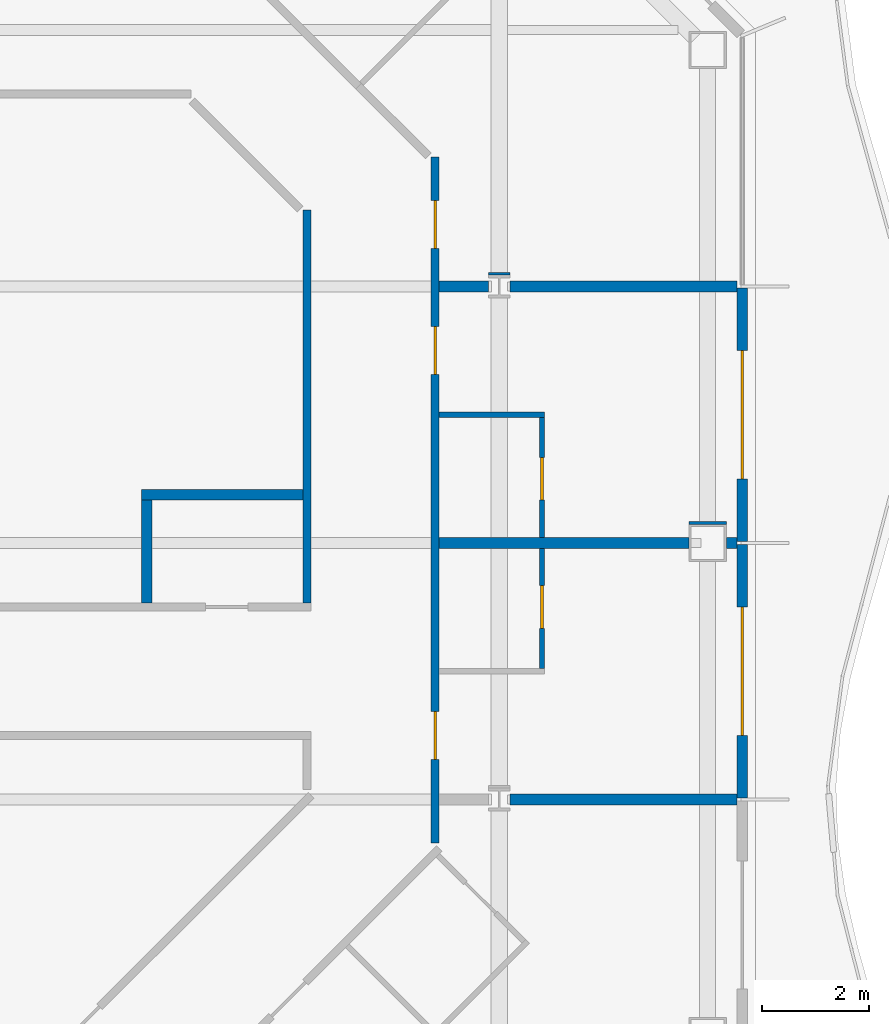
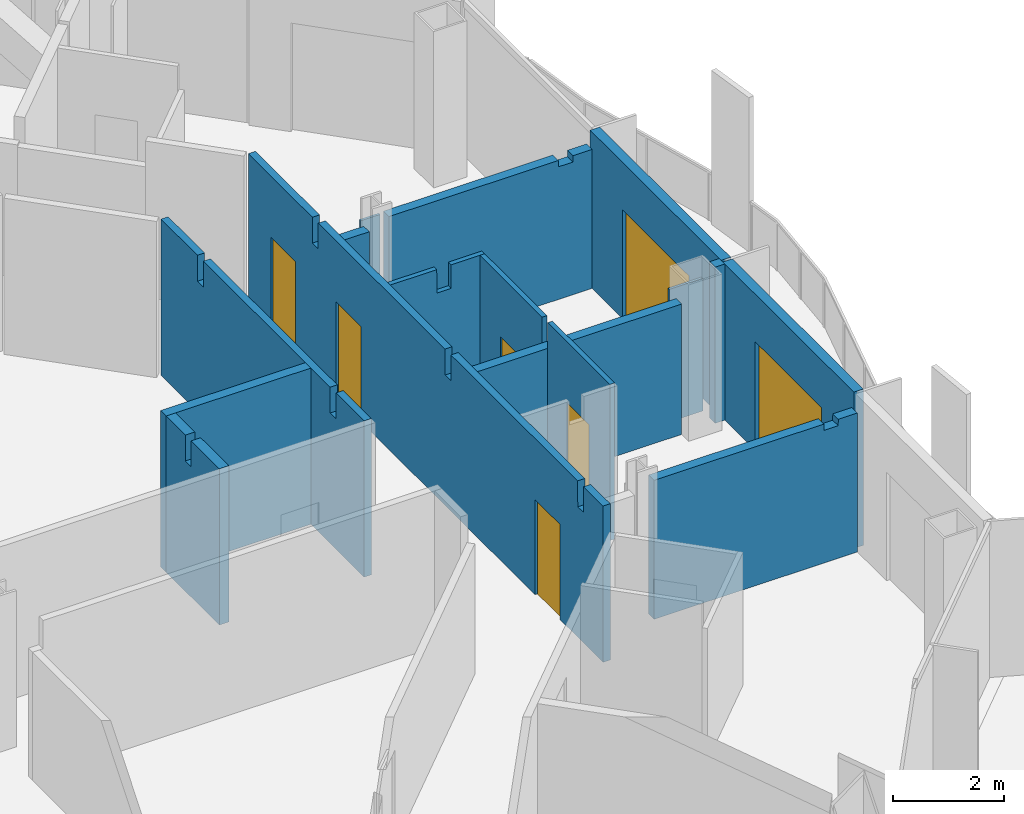
# One storey, part 11 of 21: 16 walls, 7 doors, 7 openings.
"""IFC4 building model written with IfcOpenShell, lengths in metres."""

from ifc_helpers import new_model, si_unit, direction, frame, frame_2d, origin, place, context, subcontext, project, spatial, polyline, rectangle, outline, extrude, material, layer, layer_set, type_object, element, fill, save


model = new_model("IFC4")

# Units and contexts
model_context = context("Model", 3, precision=1e-05, world=origin(), true_north=direction((0.0, 1.0)))
body_context = subcontext(model_context, "Body", "Model", "MODEL_VIEW")
ifc_project = project(units=[si_unit("LENGTHUNIT", "METRE"), si_unit("AREAUNIT", "SQUARE_METRE"), si_unit("VOLUMEUNIT", "CUBIC_METRE"), si_unit("PLANEANGLEUNIT", "RADIAN"), si_unit("MASSUNIT", "GRAM", prefix="KILO")], contexts=[model_context])

# Site, building, storey
site_placement = place(None, origin())
site = spatial("IfcSite", under=ifc_project, at=site_placement, CompositionType="ELEMENT")
building_placement = place(site_placement, origin())
building = spatial("IfcBuilding", under=site, at=building_placement, Name="Cairn Pilgrim Tower", CompositionType="ELEMENT")
storey_placement = place(building_placement, frame((0.0, 0.0, 143.39990234375)))
storey = spatial("IfcBuildingStorey", under=building, at=storey_placement, Name="L35", CompositionType="ELEMENT", Elevation=143.39990234375)

# Wall, opening, door
ifc_material_1 = material(Name="Bronze anodised aluminium insulated sandwich panel with mineral wool fill", Category="aluminium")
ifc_layer_1 = layer(ifc_material_1, 0.199951171875)
ifc_layer_set_1 = layer_set([ifc_layer_1], Name="BRONZE INFILL FRAME WALL 200")
wall_type_1 = type_object("IfcWallType", Name="BRONZE INFILL FRAME WALL 200", PredefinedType="NOTDEFINED", material=ifc_layer_set_1)
wall_1_placement = place(storey_placement, frame((35.75, 0.030029296875, 0.0), z_axis=(0.0, 0.0, 1.0), x_axis=(0.0, 1.0, 0.0)))
wall_1 = element("IfcWall", 1, at=wall_1_placement, inside=storey, type_object=wall_type_1, Name="Bronze infill frame wall IW-E2", PredefinedType="NOTDEFINED", context=body_context, shape_type="SweptSolid", body=[
    extrude(rectangle(XDim=4.739990234375, YDim=0.199951171875, at=frame_2d((2.3701171875, 0.0))), origin(), (0.0, 0.0, 1.0), 3.4501953125),
])
opening_1_placement = place(wall_1_placement, frame((1.169921875, 0.0, 0.0)))
opening_1 = element("IfcOpeningElement", 2, at=opening_1_placement, cuts=wall_1, Name="Opening 3506B", PredefinedType="OPENING", context=body_context, shape_type="SweptSolid", body=[
    extrude(rectangle(XDim=2.39990234375, YDim=2.39990234375, at=frame_2d((1.199951171875, 1.199951171875))), frame((0.0, 0.10986328125, 0.0), z_axis=(0.0, -1.0, 0.0), x_axis=(1.0, 0.0, 0.0)), (0.0, 0.0, 1.0), 0.219970703125),
])
ifc_material_2 = material(Name="Bronze anodised aluminium frame with tinted low-E glass", Category="aluminium")
door_type_1 = type_object("IfcDoorType", Name="BALCONY SLIDING DOOR 2400x2400", OperationType="DOUBLE_DOOR_SLIDING", PredefinedType="DOOR", material=ifc_material_2)
door_1_placement = place(opening_1_placement, origin())
door_1 = element("IfcDoor", 3, at=door_1_placement, inside=storey, type_object=door_type_1, Name="Balcony sliding door 3506B", OperationType="SINGLE_SWING_LEFT", OverallHeight=2.39990234375, OverallWidth=2.39990234375, PredefinedType="DOOR", context=body_context, shape_type="SweptSolid", body=[
    extrude(rectangle(XDim=2.39990234375, YDim=2.39990234375, at=frame_2d((1.199951171875, 1.199951171875))), frame((0.0, 0.02490234375, 0.0), z_axis=(0.0, -1.0, 0.0), x_axis=(1.0, 0.0, 0.0)), (0.0, 0.0, 1.0), 0.050048828125),
])
fill(opening_1, door_1)

wall_2_placement = place(storey_placement, frame((35.75, 4.830078125, 0.0), z_axis=(0.0, 0.0, 1.0), x_axis=(0.0, 1.0, 0.0)))
wall_2 = element("IfcWall", 4, at=wall_2_placement, inside=storey, type_object=wall_type_1, Name="Bronze infill frame wall IW-E3", PredefinedType="NOTDEFINED", context=body_context, shape_type="SweptSolid", body=[
    extrude(rectangle(XDim=4.739990234375, YDim=0.199951171875, at=frame_2d((2.3701171875, 0.0))), origin(), (0.0, 0.0, 1.0), 3.4501953125),
])
opening_2_placement = place(wall_2_placement, frame((1.169921875, 0.0, 0.0)))
opening_2 = element("IfcOpeningElement", 5, at=opening_2_placement, cuts=wall_2, Name="Opening 3507B", PredefinedType="OPENING", context=body_context, shape_type="SweptSolid", body=[
    extrude(rectangle(XDim=2.39990234375, YDim=2.39990234375, at=frame_2d((1.199951171875, 1.199951171875))), frame((0.0, 0.10986328125, 0.0), z_axis=(0.0, -1.0, 0.0), x_axis=(1.0, 0.0, 0.0)), (0.0, 0.0, 1.0), 0.219970703125),
])
door_2_placement = place(opening_2_placement, origin())
door_2 = element("IfcDoor", 6, at=door_2_placement, inside=storey, type_object=door_type_1, Name="Balcony sliding door 3507B", OperationType="SINGLE_SWING_LEFT", OverallHeight=2.39990234375, OverallWidth=2.39990234375, PredefinedType="DOOR", context=body_context, shape_type="SweptSolid", body=[
    extrude(rectangle(XDim=2.39990234375, YDim=2.39990234375, at=frame_2d((1.199951171875, 1.199951171875))), frame((0.0, 0.02490234375, 0.0), z_axis=(0.0, -1.0, 0.0), x_axis=(1.0, 0.0, 0.0)), (0.0, 0.0, 1.0), 0.050048828125),
])
fill(opening_2, door_2)

ifc_material_3 = material(Name="Gypsum partition")
ifc_layer_2 = layer(ifc_material_3, 0.10009765625)
ifc_layer_set_2 = layer_set([ifc_layer_2], Name="PARTITION 100 DRYWALL")
wall_type_2 = type_object("IfcWallType", Name="PARTITION 100 DRYWALL", PredefinedType="PARTITIONING", material=ifc_layer_set_2)
wall_3_placement = place(storey_placement, frame((32.0, 2.449951171875, 0.0), z_axis=(0.0, 0.0, 1.0), x_axis=(0.0, 1.0, 0.0)))
wall_3 = element("IfcWall", 7, at=wall_3_placement, inside=storey, type_object=wall_type_2, Name="PARTITION W050", PredefinedType="PARTITIONING", context=body_context, shape_type="SweptSolid", body=[
    extrude(rectangle(XDim=2.25, YDim=0.10009765625, at=frame_2d((1.125, 0.0))), origin(), (0.0, 0.0, 1.0), 3.4501953125),
])
opening_3_placement = place(wall_3_placement, frame((0.75, 0.0, 0.0)))
opening_3 = element("IfcOpeningElement", 8, at=opening_3_placement, cuts=wall_3, Name="Opening 3506A", PredefinedType="OPENING", context=body_context, shape_type="SweptSolid", body=[
    extrude(rectangle(XDim=0.800048828125, YDim=2.10009765625, at=frame_2d((0.39990234375, 1.050048828125))), frame((0.0, 0.06005859375, 0.0), z_axis=(0.0, -1.0, 0.0), x_axis=(1.0, 0.0, 0.0)), (0.0, 0.0, 1.0), 0.1201171875),
])
ifc_material_4 = material(Name="Timber door leaf", Category="wood")
door_type_2 = type_object("IfcDoorType", Name="WC DOOR 800x2100", OperationType="NOTDEFINED", PredefinedType="DOOR", material=ifc_material_4)
door_3_placement = place(opening_3_placement, frame((0.800048828125, 0.0, 0.0), z_axis=(0.0, 0.0, 1.0), x_axis=(-1.0, 0.0, 0.0)))
door_3 = element("IfcDoor", 9, at=door_3_placement, inside=storey, type_object=door_type_2, Name="DOOR 3506A", OperationType="SINGLE_SWING_LEFT", OverallHeight=2.10009765625, OverallWidth=0.800048828125, PredefinedType="DOOR", context=body_context, shape_type="SweptSolid", body=[
    extrude(rectangle(XDim=0.800048828125, YDim=2.10009765625, at=frame_2d((0.39990234375, 1.050048828125))), frame((0.0, 0.02490234375, 0.0), z_axis=(0.0, -1.0, 0.0), x_axis=(1.0, 0.0, 0.0)), (0.0, 0.0, 1.0), 0.050048828125),
])
fill(opening_3, door_3)

wall_4_placement = place(storey_placement, frame((32.0, 4.89990234375, 0.0), z_axis=(0.0, 0.0, 1.0), x_axis=(0.0, 1.0, 0.0)))
wall_4 = element("IfcWall", 10, at=wall_4_placement, inside=storey, type_object=wall_type_2, Name="PARTITION W063", PredefinedType="PARTITIONING", context=body_context, shape_type="SweptSolid", body=[
    extrude(rectangle(XDim=2.25, YDim=0.10009765625, at=frame_2d((1.125, 0.0))), origin(), (0.0, 0.0, 1.0), 3.4501953125),
])
opening_4_placement = place(wall_4_placement, frame((0.699951171875, 0.0, 0.0)))
opening_4 = element("IfcOpeningElement", 11, at=opening_4_placement, cuts=wall_4, Name="Opening 3507A", PredefinedType="OPENING", context=body_context, shape_type="SweptSolid", body=[
    extrude(rectangle(XDim=0.800048828125, YDim=2.10009765625, at=frame_2d((0.39990234375, 1.050048828125))), frame((0.0, 0.06005859375, 0.0), z_axis=(0.0, -1.0, 0.0), x_axis=(1.0, 0.0, 0.0)), (0.0, 0.0, 1.0), 0.1201171875),
])
door_4_placement = place(opening_4_placement, frame((0.800048828125, 0.0, 0.0), z_axis=(0.0, 0.0, 1.0), x_axis=(-1.0, 0.0, 0.0)))
door_4 = element("IfcDoor", 12, at=door_4_placement, inside=storey, type_object=door_type_2, Name="DOOR 3507A", OperationType="SINGLE_SWING_LEFT", OverallHeight=2.10009765625, OverallWidth=0.800048828125, PredefinedType="DOOR", context=body_context, shape_type="SweptSolid", body=[
    extrude(rectangle(XDim=0.800048828125, YDim=2.10009765625, at=frame_2d((0.39990234375, 1.050048828125))), frame((0.0, 0.02490234375, 0.0), z_axis=(0.0, -1.0, 0.0), x_axis=(1.0, 0.0, 0.0)), (0.0, 0.0, 1.0), 0.050048828125),
])
fill(opening_4, door_4)

# Wall
wall_5_placement = place(storey_placement, frame((30.074951171875, 7.199951171875, 0.0), z_axis=(0.0, 0.0, 1.0), x_axis=(1.0, 0.0, 0.0)))
element("IfcWall", 13, at=wall_5_placement, inside=storey, type_object=wall_type_2, Name="PARTITION W066", PredefinedType="PARTITIONING", context=body_context, shape_type="SweptSolid", body=[
    extrude(outline(polyline([(0.0, 0.0), (1.97509765625, 0.0), (1.97509765625, 3.4501953125), (1.27490234375, 3.4501953125), (1.27294921875, 2.93017578125), (0.97509765625, 2.93017578125), (0.972900390625, 3.4501953125), (0.0, 3.4501953125), (0.0, 0.0)])), frame((0.0, 0.050048828125, 0.0), z_axis=(0.0, -1.0, 0.0), x_axis=(1.0, 0.0, 0.0)), (0.0, 0.0, 1.0), 0.10009765625),
])

# Wall, openings, doors
ifc_layer_3 = layer(ifc_material_3, 0.14990234375)
ifc_layer_set_3 = layer_set([ifc_layer_3], Name="PARTITION 150 DRYWALL EI 60")
wall_type_3 = type_object("IfcWallType", Name="PARTITION 150 DRYWALL EI 60", PredefinedType="PARTITIONING", material=ifc_layer_set_3)
wall_6_placement = place(storey_placement, frame((30.0, -0.81298828125, 0.0), z_axis=(0.0, 0.0, 1.0), x_axis=(0.0, 1.0, 0.0)))
wall_6 = element("IfcWall", 14, at=wall_6_placement, inside=storey, type_object=wall_type_3, Name="PARTITION W042", PredefinedType="PARTITIONING", context=body_context, shape_type="SweptSolid", body=[
    extrude(outline(polyline([(0.0, 0.0), (12.833984375, 0.0), (12.833984375, 3.4501953125), (10.517822265625, 3.4501953125), (10.515869140625, 2.880126953125), (10.307861328125, 2.880126953125), (10.305908203125, 3.4501953125), (5.718017578125, 3.4501953125), (5.7158203125, 2.880126953125), (5.5078125, 2.880126953125), (5.505859375, 3.4501953125), (0.91796875, 3.4501953125), (0.916015625, 2.880126953125), (0.7080078125, 2.880126953125), (0.705810546875, 3.4501953125), (0.0, 3.4501953125), (0.0, 0.0)])), frame((0.0, 0.074951171875, 0.0), z_axis=(0.0, -1.0, 0.0), x_axis=(1.0, 0.0, 0.0)), (0.0, 0.0, 1.0), 0.14990234375),
])
opening_5_placement = place(wall_6_placement, frame((1.56298828125, 0.0, 0.0)))
opening_5 = element("IfcOpeningElement", 15, at=opening_5_placement, cuts=wall_6, Name="Opening 3506", PredefinedType="OPENING", context=body_context, shape_type="SweptSolid", body=[
    extrude(rectangle(XDim=0.89990234375, YDim=2.10009765625, at=frame_2d((0.449951171875, 1.050048828125))), frame((0.0, 0.0849609375, 0.0), z_axis=(0.0, -1.0, 0.0), x_axis=(1.0, 0.0, 0.0)), (0.0, 0.0, 1.0), 0.169921875),
])
opening_6_placement = place(wall_6_placement, frame((8.762939453125, 0.0, 0.0)))
opening_6 = element("IfcOpeningElement", 16, at=opening_6_placement, cuts=wall_6, Name="Opening 3507", PredefinedType="OPENING", context=body_context, shape_type="SweptSolid", body=[
    extrude(rectangle(XDim=0.89990234375, YDim=2.10009765625, at=frame_2d((0.449951171875, 1.050048828125))), frame((0.0, 0.0849609375, 0.0), z_axis=(0.0, -1.0, 0.0), x_axis=(1.0, 0.0, 0.0)), (0.0, 0.0, 1.0), 0.169921875),
])
opening_7_placement = place(wall_6_placement, frame((11.120849609375, 0.0, 0.0)))
opening_7 = element("IfcOpeningElement", 17, at=opening_7_placement, cuts=wall_6, Name="Opening 3508", PredefinedType="OPENING", context=body_context, shape_type="SweptSolid", body=[
    extrude(rectangle(XDim=0.89990234375, YDim=2.10009765625, at=frame_2d((0.449951171875, 1.050048828125))), frame((0.0, 0.0849609375, 0.0), z_axis=(0.0, -1.0, 0.0), x_axis=(1.0, 0.0, 0.0)), (0.0, 0.0, 1.0), 0.169921875),
])
door_type_3 = type_object("IfcDoorType", Name="ROOM DOOR 900x2100 FD30S", OperationType="NOTDEFINED", PredefinedType="DOOR", material=ifc_material_4)
door_5_placement = place(opening_5_placement, frame((0.89990234375, 0.0, 0.0), z_axis=(0.0, 0.0, 1.0), x_axis=(-1.0, 0.0, 0.0)))
door_5 = element("IfcDoor", 18, at=door_5_placement, inside=storey, type_object=door_type_3, Name="DOOR 3506", OperationType="SINGLE_SWING_LEFT", OverallHeight=2.10009765625, OverallWidth=0.89990234375, PredefinedType="DOOR", context=body_context, shape_type="SweptSolid", body=[
    extrude(rectangle(XDim=0.89990234375, YDim=2.10009765625, at=frame_2d((0.449951171875, 1.050048828125))), frame((0.0, 0.02490234375, 0.0), z_axis=(0.0, -1.0, 0.0), x_axis=(1.0, 0.0, 0.0)), (0.0, 0.0, 1.0), 0.050048828125),
])
fill(opening_5, door_5)
door_6_placement = place(opening_6_placement, frame((0.89990234375, 0.0, 0.0), z_axis=(0.0, 0.0, 1.0), x_axis=(-1.0, 0.0, 0.0)))
door_6 = element("IfcDoor", 19, at=door_6_placement, inside=storey, type_object=door_type_3, Name="DOOR 3507", OperationType="SINGLE_SWING_LEFT", OverallHeight=2.10009765625, OverallWidth=0.89990234375, PredefinedType="DOOR", context=body_context, shape_type="SweptSolid", body=[
    extrude(rectangle(XDim=0.89990234375, YDim=2.10009765625, at=frame_2d((0.449951171875, 1.050048828125))), frame((0.0, 0.02490234375, 0.0), z_axis=(0.0, -1.0, 0.0), x_axis=(1.0, 0.0, 0.0)), (0.0, 0.0, 1.0), 0.050048828125),
])
fill(opening_6, door_6)
door_7_placement = place(opening_7_placement, frame((0.89990234375, 0.0, 0.0), z_axis=(0.0, 0.0, 1.0), x_axis=(-1.0, 0.0, 0.0)))
door_7 = element("IfcDoor", 20, at=door_7_placement, inside=storey, type_object=door_type_3, Name="DOOR 3508", OperationType="SINGLE_SWING_LEFT", OverallHeight=2.10009765625, OverallWidth=0.89990234375, PredefinedType="DOOR", context=body_context, shape_type="SweptSolid", body=[
    extrude(rectangle(XDim=0.89990234375, YDim=2.10009765625, at=frame_2d((0.449951171875, 1.050048828125))), frame((0.0, 0.02490234375, 0.0), z_axis=(0.0, -1.0, 0.0), x_axis=(1.0, 0.0, 0.0)), (0.0, 0.0, 1.0), 0.050048828125),
])
fill(opening_7, door_7)

# Walls
wall_7_placement = place(storey_placement, frame((27.60009765625, 3.675048828125, 0.0), z_axis=(0.0, 0.0, 1.0), x_axis=(0.0, 1.0, 0.0)))
element("IfcWall", 21, at=wall_7_placement, inside=storey, type_object=wall_type_3, Name="PARTITION W057", PredefinedType="PARTITIONING", context=body_context, shape_type="SweptSolid", body=[
    extrude(outline(polyline([(0.0, 0.0), (7.35205078125, 0.0), (7.35205078125, 3.4501953125), (6.030029296875, 3.4501953125), (6.028076171875, 2.880126953125), (5.820068359375, 2.880126953125), (5.818115234375, 3.4501953125), (1.22998046875, 3.4501953125), (1.22802734375, 2.880126953125), (1.02001953125, 2.880126953125), (1.01806640625, 3.4501953125), (0.0, 3.4501953125), (0.0, 0.0)])), frame((0.0, 0.074951171875, 0.0), z_axis=(0.0, -1.0, 0.0), x_axis=(1.0, 0.0, 0.0)), (0.0, 0.0, 1.0), 0.14990234375),
])
ifc_layer_4 = layer(ifc_material_3, 0.050048828125)
ifc_layer_set_4 = layer_set([ifc_layer_4], Name="PARTITION 50 DRYWALL EI 60")
wall_type_4 = type_object("IfcWallType", Name="PARTITION 50 DRYWALL EI 60", PredefinedType="PARTITIONING", material=ifc_layer_set_4)
wall_8_placement = place(storey_placement, frame((34.75, 5.175048828125, 0.0), z_axis=(0.0, 0.0, 1.0), x_axis=(1.0, 0.0, 0.0)))
element("IfcWall", 22, at=wall_8_placement, inside=storey, type_object=wall_type_4, Name="COLUMN CASING WC22", PredefinedType="PARTITIONING", context=body_context, shape_type="SweptSolid", body=[
    extrude(rectangle(XDim=0.699951171875, YDim=0.050048828125, at=frame_2d((0.35009765625, 0.0))), origin(), (0.0, 0.0, 1.0), 2.93017578125),
])
wall_9_placement = place(storey_placement, frame((30.99560546875, 9.83740234375, 0.0), z_axis=(0.0, 0.0, 1.0), x_axis=(1.0, 0.0, 0.0)))
element("IfcWall", 23, at=wall_9_placement, inside=storey, type_object=wall_type_4, Name="COLUMN CASING WC23", PredefinedType="PARTITIONING", context=body_context, shape_type="SweptSolid", body=[
    extrude(rectangle(XDim=0.408935546875, YDim=0.050048828125, at=frame_2d((0.20458984375, 0.0))), origin(), (0.0, 0.0, 1.0), 2.93017578125),
])
ifc_layer_5 = layer(ifc_material_3, 0.199951171875)
ifc_layer_set_5 = layer_set([ifc_layer_5], Name="SHAFT WALL 200 GYPSUM EI 60")
wall_type_5 = type_object("IfcWallType", Name="SHAFT WALL 200 GYPSUM EI 60", PredefinedType="PARTITIONING", material=ifc_layer_set_5)
wall_10_placement = place(storey_placement, frame((31.404541015625, 0.0, 0.0), z_axis=(0.0, 0.0, 1.0), x_axis=(1.0, 0.0, 0.0)))
element("IfcWall", 24, at=wall_10_placement, inside=storey, type_object=wall_type_5, Name="PARTITION W045", PredefinedType="PARTITIONING", context=body_context, shape_type="SweptSolid", body=[
    extrude(outline(polyline([(0.0, 0.0), (4.245361328125, 0.0), (4.24560546875, 3.070068359375), (3.845458984375, 3.070068359375), (3.843505859375, 2.93017578125), (3.54541015625, 2.93017578125), (3.54345703125, 3.070068359375), (0.0, 3.070068359375), (0.0, 0.0)])), frame((0.0, 0.10009765625, 0.0), z_axis=(0.0, -1.0, 0.0), x_axis=(1.0, 0.0, 0.0)), (0.0, 0.0, 1.0), 0.199951171875),
])
wall_11_placement = place(storey_placement, frame((24.60009765625, 3.675048828125, 0.0), z_axis=(0.0, 0.0, 1.0), x_axis=(0.0, 1.0, 0.0)))
element("IfcWall", 25, at=wall_11_placement, inside=storey, type_object=wall_type_5, Name="PARTITION W056", PredefinedType="PARTITIONING", context=body_context, shape_type="SweptSolid", body=[
    extrude(outline(polyline([(0.0, 0.0), (1.925048828125, 0.0), (1.925048828125, 3.4501953125), (1.22998046875, 3.4501953125), (1.22802734375, 2.880126953125), (1.02001953125, 2.880126953125), (1.01806640625, 3.4501953125), (0.0, 3.4501953125), (0.0, 0.0)])), frame((0.0, 0.10009765625, 0.0), z_axis=(0.0, -1.0, 0.0), x_axis=(1.0, 0.0, 0.0)), (0.0, 0.0, 1.0), 0.199951171875),
])
wall_12_placement = place(storey_placement, frame((30.074951171875, 4.800048828125, 0.0), z_axis=(0.0, 0.0, 1.0), x_axis=(1.0, 0.0, 0.0)))
element("IfcWall", 26, at=wall_12_placement, inside=storey, type_object=wall_type_5, Name="PARTITION W060", PredefinedType="PARTITIONING", context=body_context, shape_type="SweptSolid", body=[
    extrude(rectangle(XDim=4.675048828125, YDim=0.199951171875, at=frame_2d((2.33740234375, 0.0))), origin(), (0.0, 0.0, 1.0), 2.880126953125),
])
wall_13_placement = place(storey_placement, frame((35.449951171875, 4.800048828125, 0.0), z_axis=(0.0, 0.0, 1.0), x_axis=(1.0, 0.0, 0.0)))
element("IfcWall", 27, at=wall_13_placement, inside=storey, type_object=wall_type_5, Name="PARTITION W061", PredefinedType="PARTITIONING", context=body_context, shape_type="SweptSolid", body=[
    extrude(rectangle(XDim=0.199951171875, YDim=0.199951171875, at=frame_2d((0.10009765625, 0.0))), origin(), (0.0, 0.0, 1.0), 3.4501953125),
])
wall_14_placement = place(storey_placement, frame((24.5, 5.699951171875, 0.0), z_axis=(0.0, 0.0, 1.0), x_axis=(1.0, 0.0, 0.0)))
element("IfcWall", 28, at=wall_14_placement, inside=storey, type_object=wall_type_5, Name="PARTITION W064", PredefinedType="PARTITIONING", context=body_context, shape_type="SweptSolid", body=[
    extrude(rectangle(XDim=3.02490234375, YDim=0.199951171875, at=frame_2d((1.512451171875, 0.0))), origin(), (0.0, 0.0, 1.0), 3.4501953125),
])
wall_15_placement = place(storey_placement, frame((30.074951171875, 9.60009765625, 0.0), z_axis=(0.0, 0.0, 1.0), x_axis=(1.0, 0.0, 0.0)))
element("IfcWall", 29, at=wall_15_placement, inside=storey, type_object=wall_type_5, Name="PARTITION W067", PredefinedType="PARTITIONING", context=body_context, shape_type="SweptSolid", body=[
    extrude(rectangle(XDim=0.920654296875, YDim=0.199951171875, at=frame_2d((0.46044921875, 0.0))), origin(), (0.0, 0.0, 1.0), 2.880126953125),
])
wall_16_placement = place(storey_placement, frame((31.404541015625, 9.60009765625, 0.0), z_axis=(0.0, 0.0, 1.0), x_axis=(1.0, 0.0, 0.0)))
element("IfcWall", 30, at=wall_16_placement, inside=storey, type_object=wall_type_5, Name="PARTITION W068", PredefinedType="PARTITIONING", context=body_context, shape_type="SweptSolid", body=[
    extrude(outline(polyline([(0.0, 0.0), (4.245361328125, 0.0), (4.24560546875, 3.070068359375), (3.845458984375, 3.070068359375), (3.843505859375, 2.93017578125), (3.54541015625, 2.93017578125), (3.54345703125, 3.070068359375), (0.0, 3.070068359375), (0.0, 0.0)])), frame((0.0, 0.10009765625, 0.0), z_axis=(0.0, -1.0, 0.0), x_axis=(1.0, 0.0, 0.0)), (0.0, 0.0, 1.0), 0.199951171875),
])

save(model, "model.ifc")
